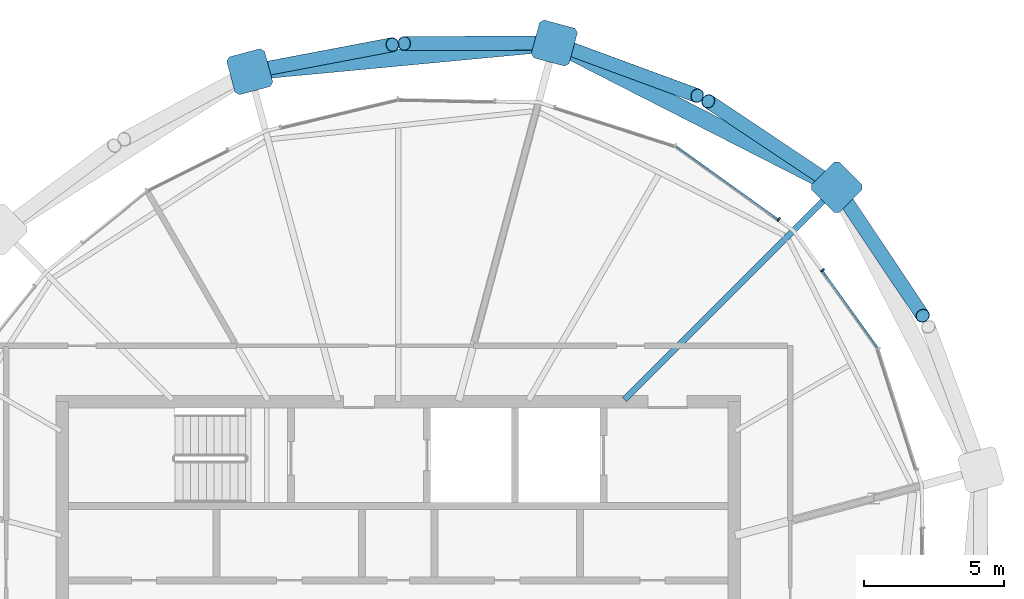
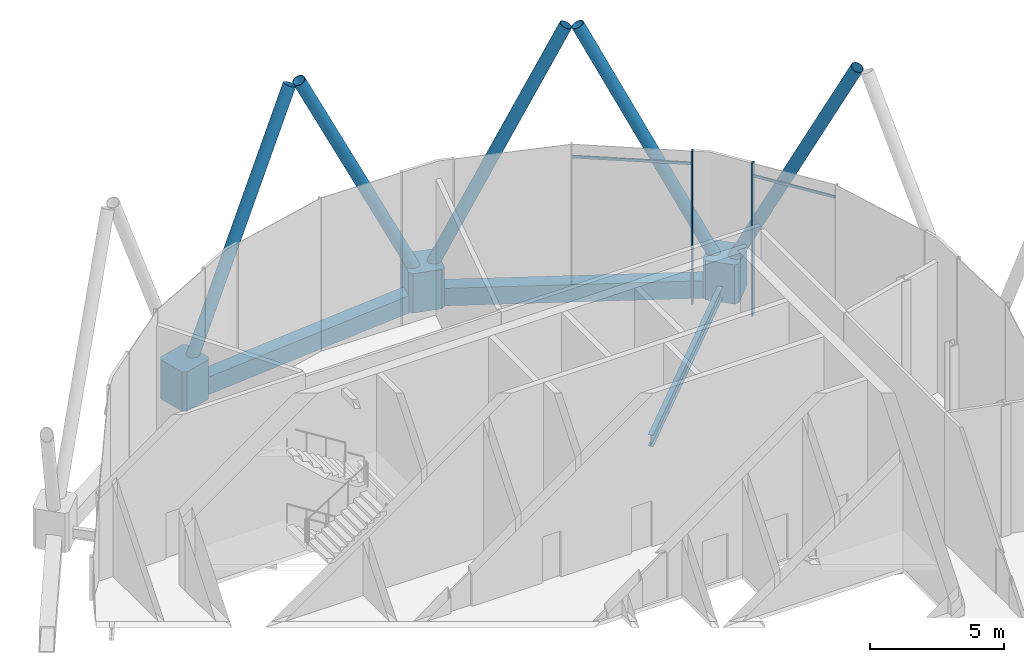
# One storey, part 15 of 28: 12 members, 3 beams, 1 element without a shape of its own.
"""IFC4 building model written with IfcOpenShell, lengths in metres."""

from ifc_helpers import new_model, si_unit, direction, frame, origin, origin_2d, place, context, subcontext, project, spatial, polyline, rectangle, hollow_rectangle, hollow_circle, i_section, outline, extrude, material, material_profile, profile_set, type_object, element, aggregate, save


model = new_model("IFC4")

# Units and contexts
model_context = context("Model", 3, precision=1e-05, world=origin(), true_north=direction((0.0, 1.0)))
body_context = subcontext(model_context, "Body", "Model", "MODEL_VIEW")
ifc_project = project(units=[si_unit("LENGTHUNIT", "METRE"), si_unit("AREAUNIT", "SQUARE_METRE"), si_unit("VOLUMEUNIT", "CUBIC_METRE"), si_unit("PLANEANGLEUNIT", "RADIAN"), si_unit("MASSUNIT", "GRAM", prefix="KILO")], contexts=[model_context])

# Site, building, storey
site_placement = place(None, origin())
site = spatial("IfcSite", under=ifc_project, at=site_placement, CompositionType="ELEMENT")
building_placement = place(site_placement, origin())
building = spatial("IfcBuilding", under=site, at=building_placement, Name="Rimbun Link Towers", CompositionType="ELEMENT")
storey_placement = place(building_placement, frame((0.0, 0.0, 256.10009765625)))
storey = spatial("IfcBuildingStorey", under=building, at=storey_placement, Name="L63", CompositionType="ELEMENT", Elevation=256.10009765625)

# Curtain wall, members
ifc_material_1 = material(Name="Aluminium 6063-T6 and low-iron glass", Category="aluminium")
curtain_wall_type = type_object("IfcCurtainWallType", Name="CW5 full height lobby wall", PredefinedType="NOTDEFINED", material=ifc_material_1)
curtain_wall_placement = place(storey_placement, origin())
curtain_wall = element("IfcCurtainWall", 1, at=curtain_wall_placement, inside=storey, type_object=curtain_wall_type, Name="CW5 L63 T2", PredefinedType="NOTDEFINED")
ifc_material_2 = material(Name="Aluminium 6063-T6", Category="aluminium")
ifc_material_profile_1 = material_profile(ifc_material_2, rectangle(XDim=0.14990234375, YDim=0.06005859375, at=origin_2d()), Name="MULLION 60X150")
ifc_profile_set_1 = profile_set([ifc_material_profile_1], Name="Aluminium 6063-T6")
member_type_1 = type_object("IfcMemberType", Name="CW5 mullion 60X150", PredefinedType="MULLION", material=ifc_profile_set_1)
member_1_placement = place(storey_placement, frame((45.334228515625, 14.508544921875, 0.0), z_axis=(0.0, 0.0, 1.0), x_axis=(0.583006333586, 0.812467608584, 0.0)))
member_1 = element("IfcMember", 2, at=member_1_placement, type_object=member_type_1, Name="CW5 mullion", PredefinedType="MULLION", context=body_context, shape_type="SweptSolid", body=[
    extrude(rectangle(XDim=0.14990234375, YDim=0.06005859375, at=origin_2d()), origin(), (0.0, 0.0, 1.0), 7.0),
])
member_2_placement = place(storey_placement, frame((46.89990234375, 12.6904296875, 0.0), z_axis=(0.0, 0.0, 1.0), x_axis=(0.812467608584, 0.583006333586, 0.0)))
member_2 = element("IfcMember", 3, at=member_2_placement, type_object=member_type_1, Name="CW5 mullion", PredefinedType="MULLION", context=body_context, shape_type="SweptSolid", body=[
    extrude(rectangle(XDim=0.14990234375, YDim=0.06005859375, at=origin_2d()), origin(), (0.0, 0.0, 1.0), 7.0),
])
ifc_material_3 = material(Name="Aluminium 6063-T6", Category="aluminium")
ifc_material_profile_2 = material_profile(ifc_material_3, rectangle(XDim=0.06005859375, YDim=0.1201171875, at=origin_2d()), Name="TRANSOM 60X120")
ifc_profile_set_2 = profile_set([ifc_material_profile_2], Name="Aluminium 6063-T6")
member_type_2 = type_object("IfcMemberType", Name="CW5 transom 60X120", PredefinedType="USERDEFINED", material=ifc_profile_set_2)
member_3_placement = place(storey_placement, frame((41.6748046875, 17.118408203125, 6.39990234375), z_axis=(0.812460545934, -0.583016175848, 0.0), x_axis=(0.583016175848, 0.812460545934, 0.0)))
member_3 = element("IfcMember", 4, at=member_3_placement, type_object=member_type_2, Name="CW5 transom", ObjectType="TRANSOM", PredefinedType="USERDEFINED", context=body_context, shape_type="SweptSolid", body=[
    extrude(rectangle(XDim=0.06005859375, YDim=0.1201171875, at=origin_2d()), origin(), (0.0, 0.0, 1.0), 4.46484375),
])
member_4_placement = place(storey_placement, frame((46.90673828125, 12.658447265625, 6.39990234375), z_axis=(0.583021385194, -0.812456807718, 0.0), x_axis=(0.812456807718, 0.583021385194, 0.0)))
member_4 = element("IfcMember", 5, at=member_4_placement, type_object=member_type_2, Name="CW5 transom", ObjectType="TRANSOM", PredefinedType="USERDEFINED", context=body_context, shape_type="SweptSolid", body=[
    extrude(rectangle(XDim=0.06005859375, YDim=0.1201171875, at=origin_2d()), origin(), (0.0, 0.0, 1.0), 3.36474609375),
])
aggregate(curtain_wall, [member_1, member_2, member_3, member_4])

# Members
ifc_material_4 = material(Name="Steel S355J2H", Category="steel")
ifc_material_profile_3 = material_profile(ifc_material_4, hollow_circle(Radius=0.25390625, WallThickness=0.02001953125, at=origin_2d()), Name="Diagrid diagonal CHS 508x20")
ifc_profile_set_3 = profile_set([ifc_material_profile_3], Name="Steel S355J2H")
member_type_3 = type_object("IfcMemberType", Name="Diagrid diagonal CHS 508x20", PredefinedType="BRACE", material=ifc_profile_set_3)
for number, where, z_axis, x_axis, name in (
    (6, (47.53369140625, 15.473876953125, 0.447265625), (0.248369081759, -0.371482711175, 0.894602366711), (0.83131217171, 0.555805787273, 0.0), "Diagrid diagonal T2 L63-L65 00a"),
    (7, (47.223876953125, 15.78369140625, 0.447265625), (-0.371482711175, 0.248369081759, 0.894602366711), (-0.555805787273, -0.83131217171, 0.0), "Diagrid diagonal T2 L63-L65 00b"),
):
    element("IfcMember", number, at=place(storey_placement, frame(where, z_axis=z_axis, x_axis=x_axis)), inside=storey, type_object=member_type_3, Name=name, PredefinedType="BRACE", context=body_context, shape_type="SweptSolid", body=[
        extrude(hollow_circle(Radius=0.25390625, WallThickness=0.02001953125, at=origin_2d()), origin(), (0.0, 0.0, 1.0), 11.854736328125),
    ])
member_5_placement = place(storey_placement, frame((37.53271484375, 20.731689453125, 0.448486328125), z_axis=(0.414216770688, -0.152583342554, 0.897297492728), x_axis=(0.34565980852, 0.938359897254, 0.0)))
element("IfcMember", 8, at=member_5_placement, inside=storey, type_object=member_type_3, Name="Diagrid diagonal T2 L63-L65 02a", PredefinedType="BRACE", context=body_context, shape_type="SweptSolid", body=[
    extrude(hollow_circle(Radius=0.25390625, WallThickness=0.02001953125, at=origin_2d()), origin(), (0.0, 0.0, 1.0), 11.81640625),
])
member_6_placement = place(storey_placement, frame((37.107421875, 20.807373046875, 0.44970703125), z_axis=(-0.436262420484, -0.001367788692, 0.899818442591), x_axis=(0.003135227572, -0.999995085162, 0.0)))
element("IfcMember", 9, at=member_6_placement, inside=storey, type_object=member_type_3, Name="Diagrid diagonal T2 L63-L65 02b", PredefinedType="BRACE", context=body_context, shape_type="SweptSolid", body=[
    extrude(hollow_circle(Radius=0.25390625, WallThickness=0.02001953125, at=origin_2d()), origin(), (0.0, 0.0, 1.0), 11.780517578125),
])
member_7_placement = place(storey_placement, frame((26.657470703125, 19.82421875, 0.452392578125), z_axis=(0.417305578151, 0.079188760981, 0.905309446862), x_axis=(-0.186435005865, 0.982467296447, 0.0)))
element("IfcMember", 10, at=member_7_placement, inside=storey, type_object=member_type_3, Name="Diagrid diagonal T2 L63-L65 04a", PredefinedType="BRACE", context=body_context, shape_type="SweptSolid", body=[
    extrude(hollow_circle(Radius=0.25390625, WallThickness=0.02001953125, at=origin_2d()), origin(), (0.0, 0.0, 1.0), 11.703125),
])
ifc_material_5 = material(Name="Cast steel G20Mn5+QT, Rp0.2 300 MPa", Category="steel")
ifc_material_profile_4 = material_profile(ifc_material_5, outline(polyline([(0.699951171875, -0.570068359375), (0.699951171875, 0.570068359375), (0.570068359375, 0.699951171875), (-0.570068359375, 0.699951171875), (-0.699951171875, 0.570068359375), (-0.699951171875, -0.570068359375), (-0.570068359375, -0.699951171875), (0.570068359375, -0.699951171875), (0.699951171875, -0.570068359375)])), Name="NODE 1400x1400")
ifc_profile_set_4 = profile_set([ifc_material_profile_4], Name="Cast steel G20Mn5+QT, Rp0.2 300 MPa")
member_type_4 = type_object("IfcMemberType", Name="Diagrid node cast 1400", PredefinedType="USERDEFINED", material=ifc_profile_set_4)
for number, where, z_axis, x_axis, name in (
    (11, (47.40966796875, 15.65966796875, -0.900146484375), (0.0, 0.0, 1.0), (0.707106781187, 0.707106781187, 0.0), "Diagrid node L63 00"),
    (12, (37.325439453125, 20.80810546875, -0.900146484375), (0.0, 0.0, 1.0), (0.258819045103, 0.965925826289, 0.0), "Diagrid node L63 02"),
    (13, (26.44873046875, 19.78466796875, -0.900146484375), (0.0, 0.0, 1.0), (-0.258819045103, 0.965925826289, 0.0), "Diagrid node L63 04"),
):
    element("IfcMember", number, at=place(storey_placement, frame(where, z_axis=z_axis, x_axis=x_axis)), inside=storey, type_object=member_type_4, Name=name, ObjectType="Diagrid node", PredefinedType="USERDEFINED", context=body_context, shape_type="SweptSolid", body=[
        extrude(outline(polyline([(0.699951171875, -0.570068359375), (0.699951171875, 0.570068359375), (0.570068359375, 0.699951171875), (-0.570068359375, 0.699951171875), (-0.699951171875, 0.570068359375), (-0.699951171875, -0.570068359375), (-0.570068359375, -0.699951171875), (0.570068359375, -0.699951171875), (0.699951171875, -0.570068359375)])), origin(), (0.0, 0.0, 1.0), 1.800048828125),
    ])

# Beams
ifc_material_6 = material(Name="Steel S355J2", Category="steel")
ifc_material_profile_5 = material_profile(ifc_material_6, hollow_rectangle(XDim=0.60009765625, YDim=0.800048828125, WallThickness=0.0400390625, at=origin_2d()), Name="Exoskeleton ring girder BOX 600x800x40")
ifc_profile_set_5 = profile_set([ifc_material_profile_5], Name="Steel S355J2")
beam_type_1 = type_object("IfcBeamType", Name="Exoskeleton ring girder BOX 600x800x40", PredefinedType="BEAM", material=ifc_profile_set_5)
beam_1_placement = place(storey_placement, frame((46.7861328125, 15.977783203125, -0.56005859375), z_axis=(-0.890630919943, 0.454726911939, 0.0), x_axis=(-0.454726911939, -0.890630919943, 0.0)))
element("IfcBeam", 14, at=beam_1_placement, inside=storey, type_object=beam_type_1, Name="Exoskeleton ring girder L63 00", PredefinedType="BEAM", context=body_context, shape_type="SweptSolid", body=[
    extrude(hollow_rectangle(XDim=0.60009765625, YDim=0.800048828125, WallThickness=0.0400390625, at=origin_2d()), origin(), (0.0, 0.0, 1.0), 9.92236328125),
])
beam_2_placement = place(storey_placement, frame((36.628662109375, 20.742431640625, -0.56005859375), z_axis=(-0.995602084523, -0.093682918903, 0.0), x_axis=(0.093682918903, -0.995602084523, 0.0)))
element("IfcBeam", 15, at=beam_2_placement, inside=storey, type_object=beam_type_1, Name="Exoskeleton ring girder L63 01", PredefinedType="BEAM", context=body_context, shape_type="SweptSolid", body=[
    extrude(hollow_rectangle(XDim=0.60009765625, YDim=0.800048828125, WallThickness=0.0400390625, at=origin_2d()), origin(), (0.0, 0.0, 1.0), 9.525146484375),
])
ifc_material_7 = material(Name="Steel S355J2", Category="steel")
ifc_material_profile_6 = material_profile(ifc_material_7, i_section(OverallWidth=0.209228515625, OverallDepth=0.533203125, WebThickness=0.010009765625, FlangeThickness=0.015625, at=origin_2d()), Name="UB 533x210x92")
ifc_profile_set_6 = profile_set([ifc_material_profile_6], Name="Steel S355J2")
beam_type_2 = type_object("IfcBeamType", Name="UB 533x210x92", PredefinedType="BEAM", material=ifc_profile_set_6)
beam_3_placement = place(storey_placement, frame((39.82470703125, 8.07470703125, -0.446533203125), z_axis=(0.707106781187, 0.707106781187, 0.0), x_axis=(-0.707106781187, 0.707106781187, 0.0)))
element("IfcBeam", 16, at=beam_3_placement, inside=storey, type_object=beam_type_2, Name="Radial beam T2 L63 00", PredefinedType="BEAM", context=body_context, shape_type="SweptSolid", body=[
    extrude(i_section(OverallWidth=0.209228515625, OverallDepth=0.533203125, WebThickness=0.010009765625, FlangeThickness=0.015625, at=origin_2d()), origin(), (0.0, 0.0, 1.0), 10.2265625),
])

save(model, "model.ifc")
